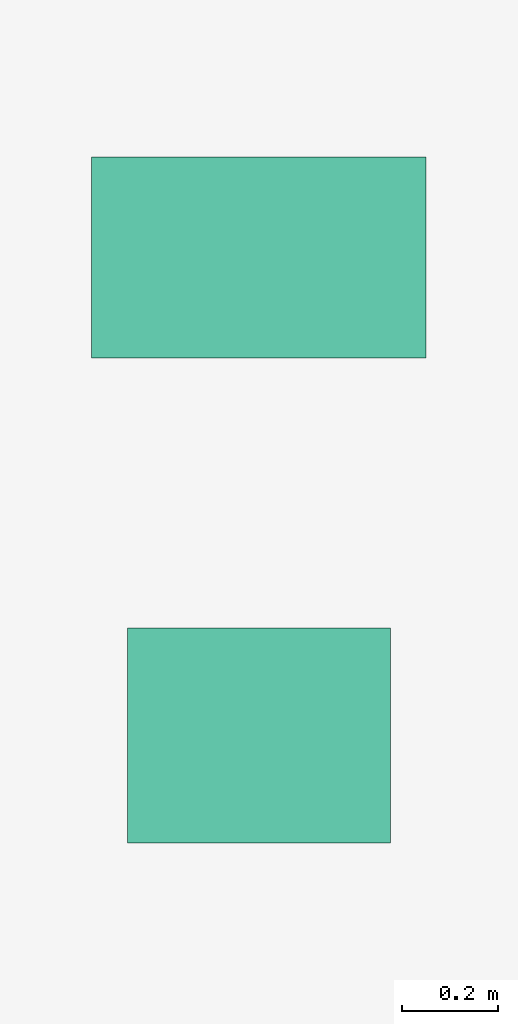
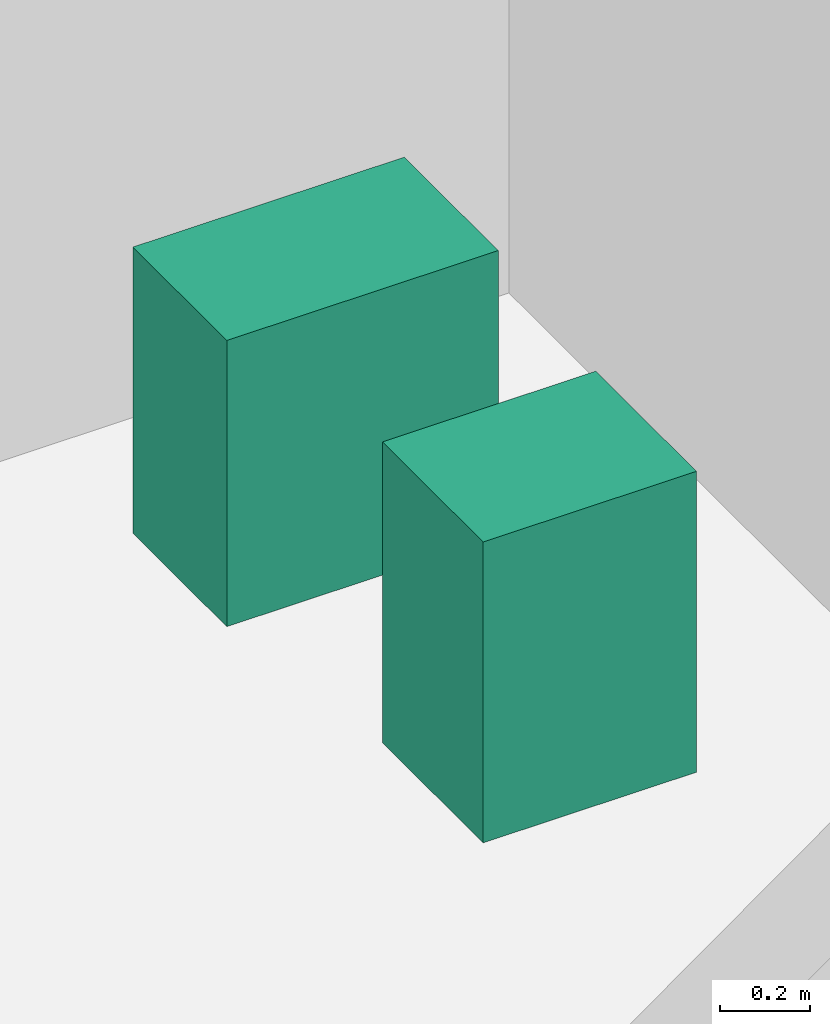
# One storey, part 36 of 36: 2 sanitary terminals.
"""IFC4 building model written with IfcOpenShell, lengths in metres."""

import ifcopenshell
import ifcopenshell.guid

model = None  # the IFC model being written
_history = None  # IfcOwnerHistory: only IFC2X3 demands one
_inside = {}  # id of a spatial element -> (the spatial element, [elements in it])
_under = {}  # id of a project, library or spatial element -> (it, [spatial elements below it])
_declared = {}  # id of a project -> (the project, [libraries it declares])
_typed = {}  # id of a type object -> (the type object, [elements of that type])
_made_of = {}  # id of a material, layer set ... -> (it, [elements and type objects made of it])


def new_model(schema):
    """Start an empty IFC model of exactly this schema.

    Asked for "IFC4X3", IfcOpenShell would pick the latest addendum, in which some entities
    have other attributes; the version numbers below select the first issue.
    IFC2X3 requires an IfcOwnerHistory on every rooted entity: one is made here for all.
    """
    global model, _history
    if schema == "IFC4X3":
        model = ifcopenshell.file(schema_version=(4, 3, 0, 0))
    else:
        model = ifcopenshell.file(schema=schema)
    _inside.clear()
    _under.clear()
    _declared.clear()
    _typed.clear()
    _made_of.clear()
    _history = None
    if model.schema == "IFC2X3":
        org = make("IfcOrganization", Name="unknown")
        user = make(
            "IfcPersonAndOrganization",
            ThePerson=make("IfcPerson", FamilyName="unknown"),
            TheOrganization=org,
        )
        app = make(
            "IfcApplication",
            ApplicationDeveloper=org,
            Version="unknown",
            ApplicationFullName="unknown",
            ApplicationIdentifier="unknown",
        )
        _history = make(
            "IfcOwnerHistory",
            OwningUser=user,
            OwningApplication=app,
            ChangeAction="ADDED",
            CreationDate=0,
        )
    return model


def make(cls, **values):
    """One entity of the class cls with the attributes given. An attribute that is None is left unset."""
    return model.create_entity(
        cls, **{name: value for name, value in values.items() if value is not None}
    )


def rooted(cls, **values):
    """An entity with a GlobalId (a new one), such as an element, a storey or a relation."""
    return make(cls, GlobalId=ifcopenshell.guid.new(), OwnerHistory=_history, **values)


def si_unit(unit_type, name, prefix=None):
    """IfcSIUnit, for example si_unit("LENGTHUNIT", "METRE", prefix="MILLI")."""
    return make("IfcSIUnit", UnitType=unit_type, Prefix=prefix, Name=name)


def assignment(units):
    """IfcUnitAssignment: the units of a project."""
    return None if units is None else make("IfcUnitAssignment", Units=units)


def point(xyz):
    """IfcCartesianPoint."""
    return None if xyz is None else make("IfcCartesianPoint", Coordinates=xyz)


def direction(xyz):
    """IfcDirection."""
    return None if xyz is None else make("IfcDirection", DirectionRatios=xyz)


def frame(location, z_axis=None, x_axis=None):
    """IfcAxis2Placement3D, a coordinate frame: its origin and axes. An axis left out is left unset."""
    return make(
        "IfcAxis2Placement3D",
        Location=point(location),
        Axis=direction(z_axis),
        RefDirection=direction(x_axis),
    )


def frame_2d(location, x_axis=None):
    """IfcAxis2Placement2D, a coordinate frame in the plane: its origin and x axis."""
    return make(
        "IfcAxis2Placement2D", Location=point(location), RefDirection=direction(x_axis)
    )


def origin():
    """The frame at (0, 0, 0) with its axes left unset."""
    return frame((0.0, 0.0, 0.0))


def origin_2d():
    """The frame at (0, 0) in the plane with its x axis left unset."""
    return frame_2d((0.0, 0.0))


def place(relative_to, where):
    """IfcLocalPlacement: puts the frame where relative to a parent placement (None: the world)."""
    return make(
        "IfcLocalPlacement", PlacementRelTo=relative_to, RelativePlacement=where
    )


def context(
    kind, dimensions, precision=None, world=None, true_north=None, identifier=None
):
    """IfcGeometricRepresentationContext, for example the 3D "Model" context."""
    return make(
        "IfcGeometricRepresentationContext",
        ContextIdentifier=identifier,
        ContextType=kind,
        CoordinateSpaceDimension=dimensions,
        Precision=precision,
        WorldCoordinateSystem=world,
        TrueNorth=true_north,
    )


def subcontext(parent, identifier, kind, view, scale=None):
    """IfcGeometricRepresentationSubContext, for example "Body" below "Model"."""
    return make(
        "IfcGeometricRepresentationSubContext",
        ContextIdentifier=identifier,
        ContextType=kind,
        ParentContext=parent,
        TargetScale=scale,
        TargetView=view,
    )


def project(units=None, contexts=None):
    """IfcProject with its units and contexts."""
    return rooted(
        "IfcProject",
        Name="project",
        RepresentationContexts=contexts,
        UnitsInContext=assignment(units),
    )


def spatial(cls, under=None, at=None, **own):
    """A site, building, storey or space (cls), placed at a placement, below another one or the project."""
    s = rooted(cls, ObjectPlacement=at, **own)
    if under is not None:
        _under.setdefault(under.id(), (under, []))[1].append(s)
    return s


def profile(cls, at=None, kind="AREA", **sizes):
    """A parametric profile (cls). Its sizes go by their IFC names, for example OverallWidth=200.0."""
    return make(cls, ProfileType=kind, Position=at, **sizes)


def rectangle(**sizes):
    """IfcRectangleProfileDef."""
    return profile("IfcRectangleProfileDef", **sizes)


def extrude(swept, where, along, depth):
    """IfcExtrudedAreaSolid: the profile swept, set in the frame where, extruded along a direction by depth."""
    return make(
        "IfcExtrudedAreaSolid",
        SweptArea=swept,
        Position=where,
        ExtrudedDirection=direction(along),
        Depth=depth,
    )


def shape(context_of_items, identifier, shape_type, items):
    """IfcShapeRepresentation: the items that make up one representation, for example the "Body"."""
    return make(
        "IfcShapeRepresentation",
        ContextOfItems=context_of_items,
        RepresentationIdentifier=identifier,
        RepresentationType=shape_type,
        Items=items,
    )


def source(mapping_origin, context_of_items, identifier, shape_type, items):
    """IfcRepresentationMap: a shape defined once, which mapped items show again and again."""
    return make(
        "IfcRepresentationMap",
        MappingOrigin=mapping_origin,
        MappedRepresentation=shape(context_of_items, identifier, shape_type, items),
    )


def transform(
    local_origin,
    x_axis=None,
    y_axis=None,
    z_axis=None,
    scale=None,
    scale2=None,
    scale3=None,
    uniform=True,
):
    """IfcCartesianTransformationOperator3D, or its non-uniform kind. x_axis, y_axis, z_axis: its Axis1, 2, 3."""
    if uniform:
        return make(
            "IfcCartesianTransformationOperator3D",
            Axis1=direction(x_axis),
            Axis2=direction(y_axis),
            LocalOrigin=point(local_origin),
            Scale=scale,
            Axis3=direction(z_axis),
        )
    return make(
        "IfcCartesianTransformationOperator3DnonUniform",
        Axis1=direction(x_axis),
        Axis2=direction(y_axis),
        LocalOrigin=point(local_origin),
        Scale=scale,
        Axis3=direction(z_axis),
        Scale2=scale2,
        Scale3=scale3,
    )


def mapped(mapping_source, mapping_target):
    """IfcMappedItem: shows the shape of a source again, moved by a transform."""
    return make(
        "IfcMappedItem", MappingSource=mapping_source, MappingTarget=mapping_target
    )


def material(Name=None, Category=None):
    """IfcMaterial."""
    return make("IfcMaterial", Name=Name, Category=Category)


def made_of(thing, what):
    """Note that an element or type object is made of a material, layer set ...; save() writes the relation."""
    if what is not None:
        _made_of.setdefault(what.id(), (what, []))[1].append(thing)
    return thing


def type_object(cls, material=None, **own):
    """A type object (cls), such as IfcWallType, which elements share."""
    return made_of(rooted(cls, **own), material)


def element(
    cls,
    number,
    at=None,
    inside=None,
    cuts=None,
    type_object=None,
    material=None,
    context=None,
    identifier="Body",
    shape_type=None,
    held_by="IfcProductDefinitionShape",
    body=None,
    shapes=None,
    **own,
):
    """One element of the class cls, such as IfcWall. Its Tag is "e" and its number.

    at: its placement. inside: the storey or other place that contains it. cuts: it is an
    opening in that element (IfcRelVoidsElement). A single representation is given by context,
    identifier, shape_type and body (its items); several are given by shapes. held_by: the class
    of the entity that holds the representations. save() writes the other relations.
    """
    e = rooted(cls, Tag="e%d" % number, ObjectPlacement=at, **own)
    if body is not None:
        shapes = [shape(context, identifier, shape_type, body)]
    if shapes is not None:
        e.Representation = make(held_by, Representations=shapes)
    if inside is not None:
        _inside.setdefault(inside.id(), (inside, []))[1].append(e)
    if cuts is not None:
        rooted(
            "IfcRelVoidsElement", RelatingBuildingElement=cuts, RelatedOpeningElement=e
        )
    if type_object is not None:
        _typed.setdefault(type_object.id(), (type_object, []))[1].append(e)
    return made_of(e, material)


def aggregate(whole, parts):
    """IfcRelAggregates: a whole, such as a stair, and the parts it consists of."""
    return rooted("IfcRelAggregates", RelatingObject=whole, RelatedObjects=parts)


def save(model, path):
    """Write the relations noted so far, then the file.

    IfcRelAggregates (storeys below a building ...), IfcRelContainedInSpatialStructure (elements
    in a storey), IfcRelDefinesByType, IfcRelAssociatesMaterial and IfcRelDeclares: one each for
    every whole, place, type object, material and project.
    """
    for whole, parts in _under.values():
        aggregate(whole, parts)
    for where, things in _inside.values():
        rooted(
            "IfcRelContainedInSpatialStructure",
            RelatedElements=things,
            RelatingStructure=where,
        )
    for kind, things in _typed.values():
        rooted("IfcRelDefinesByType", RelatedObjects=things, RelatingType=kind)
    for what, things in _made_of.values():
        rooted("IfcRelAssociatesMaterial", RelatedObjects=things, RelatingMaterial=what)
    for by, libraries in _declared.values():
        rooted("IfcRelDeclares", RelatingContext=by, RelatedDefinitions=libraries)
    model.write(path)


model = new_model("IFC4")

# Units and contexts
model_context = context("Model", 3, precision=1e-05, world=origin(), true_north=direction((0.0, 1.0)))
body_context = subcontext(model_context, "Body", "Model", "MODEL_VIEW")
ifc_project = project(units=[si_unit("LENGTHUNIT", "METRE"), si_unit("AREAUNIT", "SQUARE_METRE"), si_unit("VOLUMEUNIT", "CUBIC_METRE"), si_unit("PLANEANGLEUNIT", "RADIAN"), si_unit("MASSUNIT", "GRAM", prefix="KILO")], contexts=[model_context])

# Site, building, storey
site_placement = place(None, origin())
site = spatial("IfcSite", under=ifc_project, at=site_placement, CompositionType="ELEMENT")
building_placement = place(site_placement, origin())
building = spatial("IfcBuilding", under=site, at=building_placement, Name="Sumidabori Civic Tower", CompositionType="ELEMENT")
storey_placement = place(building_placement, frame((0.0, 0.0, 113.60009765625)))
storey = spatial("IfcBuildingStorey", under=building, at=storey_placement, Name="L29", CompositionType="ELEMENT", Elevation=113.60009765625)

# Sanitary terminals
ifc_material = material(Name="Vitreous Sanitary Porcelain")
sanitary_terminal_type_1 = type_object("IfcSanitaryTerminalType", Name="SN-WC-1", PredefinedType="TOILETPAN", material=ifc_material)
shared_shape_1 = source(origin(), body_context, "Body", "SweptSolid", [
    extrude(rectangle(XDim=0.699951171875, YDim=0.419921875, at=origin_2d()), origin(), (0.0, 0.0, 1.0), 0.780029296875),
])
sanitary_terminal_1_placement = place(storey_placement, frame((10.800048828125, 21.85009765625, 0.0), z_axis=(0.0, 0.0, 1.0), x_axis=(1.0, 0.0, 0.0)))
element("IfcSanitaryTerminal", 1, at=sanitary_terminal_1_placement, inside=storey, type_object=sanitary_terminal_type_1, Name="Accessible WC Pan L29", PredefinedType="TOILETPAN", context=body_context, shape_type="MappedRepresentation", body=[
    mapped(shared_shape_1, transform((0.0, 0.0, 0.0), x_axis=(1.0, 0.0, 0.0), y_axis=(0.0, 1.0, 0.0), z_axis=(0.0, 0.0, 1.0), scale=1.0)),
])
sanitary_terminal_type_2 = type_object("IfcSanitaryTerminalType", Name="SN-BAS-1", PredefinedType="WASHHANDBASIN", material=ifc_material)
shared_shape_2 = source(origin(), body_context, "Body", "SweptSolid", [
    extrude(rectangle(XDim=0.550048828125, YDim=0.449951171875, at=origin_2d()), origin(), (0.0, 0.0, 1.0), 0.820068359375),
])
sanitary_terminal_2_placement = place(storey_placement, frame((10.800048828125, 20.85009765625, 0.0), z_axis=(0.0, 0.0, 1.0), x_axis=(1.0, 0.0, 0.0)))
element("IfcSanitaryTerminal", 2, at=sanitary_terminal_2_placement, inside=storey, type_object=sanitary_terminal_type_2, Name="Accessible Basin L29", PredefinedType="WASHHANDBASIN", context=body_context, shape_type="MappedRepresentation", body=[
    mapped(shared_shape_2, transform((0.0, 0.0, 0.0), x_axis=(1.0, 0.0, 0.0), y_axis=(0.0, 1.0, 0.0), z_axis=(0.0, 0.0, 1.0), scale=1.0)),
])

save(model, "model.ifc")
